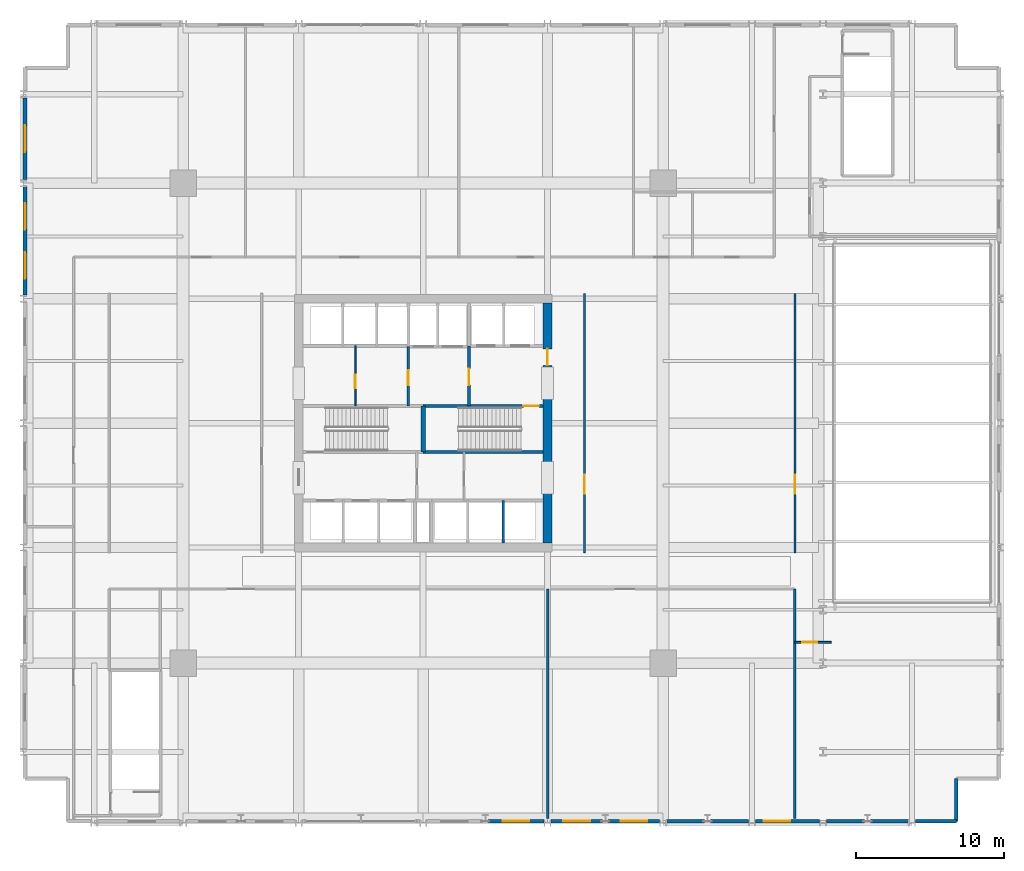
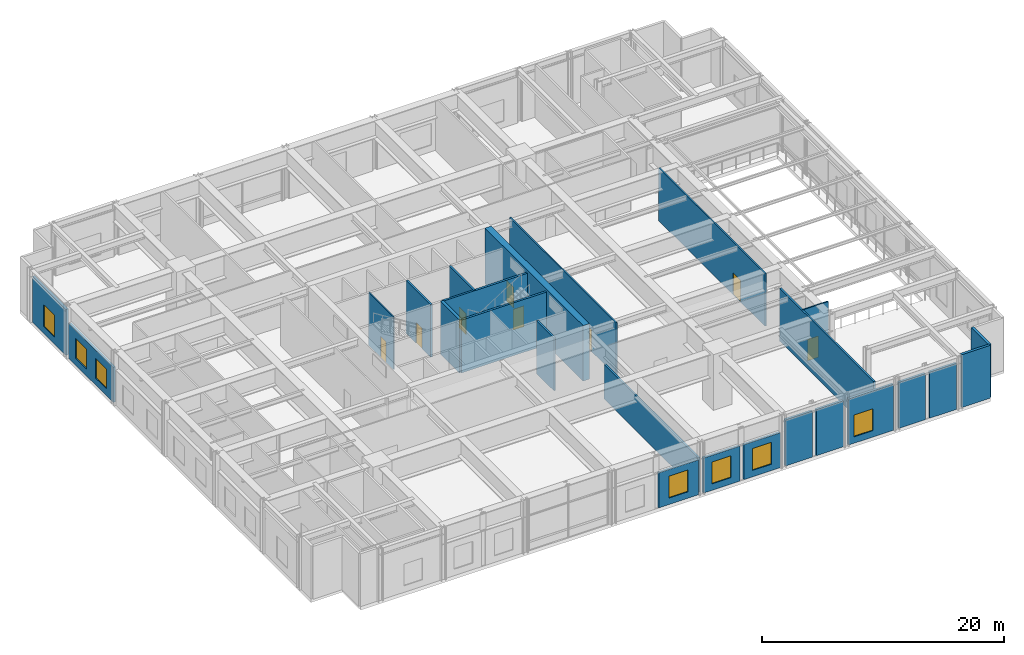
# One storey, part 12 of 19: 25 walls, 8 doors, 7 windows, 15 openings.
"""IFC4 building model written with IfcOpenShell, lengths in metres."""

import ifcopenshell
import ifcopenshell.guid

model = None  # the IFC model being written
_history = None  # IfcOwnerHistory: only IFC2X3 demands one
_inside = {}  # id of a spatial element -> (the spatial element, [elements in it])
_under = {}  # id of a project, library or spatial element -> (it, [spatial elements below it])
_declared = {}  # id of a project -> (the project, [libraries it declares])
_typed = {}  # id of a type object -> (the type object, [elements of that type])
_made_of = {}  # id of a material, layer set ... -> (it, [elements and type objects made of it])


def new_model(schema):
    """Start an empty IFC model of exactly this schema.

    Asked for "IFC4X3", IfcOpenShell would pick the latest addendum, in which some entities
    have other attributes; the version numbers below select the first issue.
    IFC2X3 requires an IfcOwnerHistory on every rooted entity: one is made here for all.
    """
    global model, _history
    if schema == "IFC4X3":
        model = ifcopenshell.file(schema_version=(4, 3, 0, 0))
    else:
        model = ifcopenshell.file(schema=schema)
    _inside.clear()
    _under.clear()
    _declared.clear()
    _typed.clear()
    _made_of.clear()
    _history = None
    if model.schema == "IFC2X3":
        org = make("IfcOrganization", Name="unknown")
        user = make(
            "IfcPersonAndOrganization",
            ThePerson=make("IfcPerson", FamilyName="unknown"),
            TheOrganization=org,
        )
        app = make(
            "IfcApplication",
            ApplicationDeveloper=org,
            Version="unknown",
            ApplicationFullName="unknown",
            ApplicationIdentifier="unknown",
        )
        _history = make(
            "IfcOwnerHistory",
            OwningUser=user,
            OwningApplication=app,
            ChangeAction="ADDED",
            CreationDate=0,
        )
    return model


def make(cls, **values):
    """One entity of the class cls with the attributes given. An attribute that is None is left unset."""
    return model.create_entity(
        cls, **{name: value for name, value in values.items() if value is not None}
    )


def rooted(cls, **values):
    """An entity with a GlobalId (a new one), such as an element, a storey or a relation."""
    return make(cls, GlobalId=ifcopenshell.guid.new(), OwnerHistory=_history, **values)


def si_unit(unit_type, name, prefix=None):
    """IfcSIUnit, for example si_unit("LENGTHUNIT", "METRE", prefix="MILLI")."""
    return make("IfcSIUnit", UnitType=unit_type, Prefix=prefix, Name=name)


def assignment(units):
    """IfcUnitAssignment: the units of a project."""
    return None if units is None else make("IfcUnitAssignment", Units=units)


def point(xyz):
    """IfcCartesianPoint."""
    return None if xyz is None else make("IfcCartesianPoint", Coordinates=xyz)


def direction(xyz):
    """IfcDirection."""
    return None if xyz is None else make("IfcDirection", DirectionRatios=xyz)


def frame(location, z_axis=None, x_axis=None):
    """IfcAxis2Placement3D, a coordinate frame: its origin and axes. An axis left out is left unset."""
    return make(
        "IfcAxis2Placement3D",
        Location=point(location),
        Axis=direction(z_axis),
        RefDirection=direction(x_axis),
    )


def frame_2d(location, x_axis=None):
    """IfcAxis2Placement2D, a coordinate frame in the plane: its origin and x axis."""
    return make(
        "IfcAxis2Placement2D", Location=point(location), RefDirection=direction(x_axis)
    )


def origin():
    """The frame at (0, 0, 0) with its axes left unset."""
    return frame((0.0, 0.0, 0.0))


def place(relative_to, where):
    """IfcLocalPlacement: puts the frame where relative to a parent placement (None: the world)."""
    return make(
        "IfcLocalPlacement", PlacementRelTo=relative_to, RelativePlacement=where
    )


def context(
    kind, dimensions, precision=None, world=None, true_north=None, identifier=None
):
    """IfcGeometricRepresentationContext, for example the 3D "Model" context."""
    return make(
        "IfcGeometricRepresentationContext",
        ContextIdentifier=identifier,
        ContextType=kind,
        CoordinateSpaceDimension=dimensions,
        Precision=precision,
        WorldCoordinateSystem=world,
        TrueNorth=true_north,
    )


def subcontext(parent, identifier, kind, view, scale=None):
    """IfcGeometricRepresentationSubContext, for example "Body" below "Model"."""
    return make(
        "IfcGeometricRepresentationSubContext",
        ContextIdentifier=identifier,
        ContextType=kind,
        ParentContext=parent,
        TargetScale=scale,
        TargetView=view,
    )


def project(units=None, contexts=None):
    """IfcProject with its units and contexts."""
    return rooted(
        "IfcProject",
        Name="project",
        RepresentationContexts=contexts,
        UnitsInContext=assignment(units),
    )


def spatial(cls, under=None, at=None, **own):
    """A site, building, storey or space (cls), placed at a placement, below another one or the project."""
    s = rooted(cls, ObjectPlacement=at, **own)
    if under is not None:
        _under.setdefault(under.id(), (under, []))[1].append(s)
    return s


def profile(cls, at=None, kind="AREA", **sizes):
    """A parametric profile (cls). Its sizes go by their IFC names, for example OverallWidth=200.0."""
    return make(cls, ProfileType=kind, Position=at, **sizes)


def rectangle(**sizes):
    """IfcRectangleProfileDef."""
    return profile("IfcRectangleProfileDef", **sizes)


def extrude(swept, where, along, depth):
    """IfcExtrudedAreaSolid: the profile swept, set in the frame where, extruded along a direction by depth."""
    return make(
        "IfcExtrudedAreaSolid",
        SweptArea=swept,
        Position=where,
        ExtrudedDirection=direction(along),
        Depth=depth,
    )


def shape(context_of_items, identifier, shape_type, items):
    """IfcShapeRepresentation: the items that make up one representation, for example the "Body"."""
    return make(
        "IfcShapeRepresentation",
        ContextOfItems=context_of_items,
        RepresentationIdentifier=identifier,
        RepresentationType=shape_type,
        Items=items,
    )


def material(Name=None, Category=None):
    """IfcMaterial."""
    return make("IfcMaterial", Name=Name, Category=Category)


def layer(
    of_material, thickness, ventilated=None, Name=None, Category=None, Priority=None
):
    """IfcMaterialLayer: one layer of a wall or slab, of a material (None: an air gap)."""
    return make(
        "IfcMaterialLayer",
        Material=of_material,
        LayerThickness=thickness,
        IsVentilated=ventilated,
        Name=Name,
        Category=Category,
        Priority=Priority,
    )


def layer_set(layers, Name=None):
    """IfcMaterialLayerSet."""
    return make("IfcMaterialLayerSet", MaterialLayers=layers, LayerSetName=Name)


def made_of(thing, what):
    """Note that an element or type object is made of a material, layer set ...; save() writes the relation."""
    if what is not None:
        _made_of.setdefault(what.id(), (what, []))[1].append(thing)
    return thing


def type_object(cls, material=None, **own):
    """A type object (cls), such as IfcWallType, which elements share."""
    return made_of(rooted(cls, **own), material)


def element(
    cls,
    number,
    at=None,
    inside=None,
    cuts=None,
    type_object=None,
    material=None,
    context=None,
    identifier="Body",
    shape_type=None,
    held_by="IfcProductDefinitionShape",
    body=None,
    shapes=None,
    **own,
):
    """One element of the class cls, such as IfcWall. Its Tag is "e" and its number.

    at: its placement. inside: the storey or other place that contains it. cuts: it is an
    opening in that element (IfcRelVoidsElement). A single representation is given by context,
    identifier, shape_type and body (its items); several are given by shapes. held_by: the class
    of the entity that holds the representations. save() writes the other relations.
    """
    e = rooted(cls, Tag="e%d" % number, ObjectPlacement=at, **own)
    if body is not None:
        shapes = [shape(context, identifier, shape_type, body)]
    if shapes is not None:
        e.Representation = make(held_by, Representations=shapes)
    if inside is not None:
        _inside.setdefault(inside.id(), (inside, []))[1].append(e)
    if cuts is not None:
        rooted(
            "IfcRelVoidsElement", RelatingBuildingElement=cuts, RelatedOpeningElement=e
        )
    if type_object is not None:
        _typed.setdefault(type_object.id(), (type_object, []))[1].append(e)
    return made_of(e, material)


def fill(opening, filler):
    """IfcRelFillsElement: the door or window that sits in an opening."""
    return rooted(
        "IfcRelFillsElement",
        RelatingOpeningElement=opening,
        RelatedBuildingElement=filler,
    )


def aggregate(whole, parts):
    """IfcRelAggregates: a whole, such as a stair, and the parts it consists of."""
    return rooted("IfcRelAggregates", RelatingObject=whole, RelatedObjects=parts)


def save(model, path):
    """Write the relations noted so far, then the file.

    IfcRelAggregates (storeys below a building ...), IfcRelContainedInSpatialStructure (elements
    in a storey), IfcRelDefinesByType, IfcRelAssociatesMaterial and IfcRelDeclares: one each for
    every whole, place, type object, material and project.
    """
    for whole, parts in _under.values():
        aggregate(whole, parts)
    for where, things in _inside.values():
        rooted(
            "IfcRelContainedInSpatialStructure",
            RelatedElements=things,
            RelatingStructure=where,
        )
    for kind, things in _typed.values():
        rooted("IfcRelDefinesByType", RelatedObjects=things, RelatingType=kind)
    for what, things in _made_of.values():
        rooted("IfcRelAssociatesMaterial", RelatedObjects=things, RelatingMaterial=what)
    for by, libraries in _declared.values():
        rooted("IfcRelDeclares", RelatingContext=by, RelatedDefinitions=libraries)
    model.write(path)


model = new_model("IFC4")

# Units and contexts
model_context = context("Model", 3, precision=1e-05, world=origin(), true_north=direction((0.0, 1.0)))
body_context = subcontext(model_context, "Body", "Model", "MODEL_VIEW")
ifc_project = project(units=[si_unit("LENGTHUNIT", "METRE"), si_unit("AREAUNIT", "SQUARE_METRE"), si_unit("VOLUMEUNIT", "CUBIC_METRE"), si_unit("PLANEANGLEUNIT", "RADIAN"), si_unit("MASSUNIT", "GRAM", prefix="KILO")], contexts=[model_context])

# Site, building, storey
site_placement = place(None, origin())
site = spatial("IfcSite", under=ifc_project, at=site_placement, CompositionType="ELEMENT")
building_placement = place(site_placement, origin())
building = spatial("IfcBuilding", under=site, at=building_placement, Name="Drelvath Grand Hotel", CompositionType="ELEMENT")
storey_placement = place(building_placement, frame((0.0, 0.0, 27.60009765625)))
storey = spatial("IfcBuildingStorey", under=building, at=storey_placement, Name="L05", CompositionType="ELEMENT", Elevation=27.60009765625)

# Wall, opening, door
ifc_material_1 = material(Name="Gypsum Partition Board")
ifc_layer_1 = layer(ifc_material_1, 0.10009765625)
ifc_layer_set_1 = layer_set([ifc_layer_1], Name="Gypsum Partition Board")
wall_type_1 = type_object("IfcWallType", Name="Core Closet Partition 100", PredefinedType="PARTITIONING", material=ifc_layer_set_1)
wall_1_placement = place(storey_placement, frame((-4.580078125, 28.159912109375, 0.0), z_axis=(0.0, 0.0, 1.0), x_axis=(0.0, 1.0, 0.0)))
wall_1 = element("IfcWall", 1, at=wall_1_placement, inside=storey, type_object=wall_type_1, Name="L05 Core Closet Divider", PredefinedType="PARTITIONING", context=body_context, shape_type="SweptSolid", body=[
    extrude(rectangle(XDim=4.06005859375, YDim=0.10009765625, at=frame_2d((2.030029296875, 0.0))), origin(), (0.0, 0.0, 1.0), 5.31982421875),
])
opening_1_placement = place(wall_1_placement, frame((1.199951171875, 0.0, 0.0)))
opening_1 = element("IfcOpeningElement", 2, at=opening_1_placement, cuts=wall_1, Name="Opening D-L05-010", PredefinedType="OPENING", context=body_context, shape_type="SweptSolid", body=[
    extrude(rectangle(XDim=0.919921875, YDim=2.10009765625, at=frame_2d((0.4599609375, 1.050048828125))), frame((0.0, 0.06005859375, 0.0), z_axis=(0.0, -1.0, 0.0), x_axis=(1.0, 0.0, 0.0)), (0.0, 0.0, 1.0), 0.1201171875),
])
ifc_material_2 = material(Name="Painted Steel S275", Category="steel")
door_type_1 = type_object("IfcDoorType", Name="Staff Utility Door 920x2100", OperationType="NOTDEFINED", PredefinedType="DOOR", material=ifc_material_2)
door_1_placement = place(opening_1_placement, origin())
door_1 = element("IfcDoor", 3, at=door_1_placement, inside=storey, type_object=door_type_1, Name="L05 Electrical Closet Door", OperationType="SINGLE_SWING_RIGHT", OverallHeight=2.10009765625, OverallWidth=0.919921875, PredefinedType="DOOR", context=body_context, shape_type="SweptSolid", body=[
    extrude(rectangle(XDim=0.919921875, YDim=2.10009765625, at=frame_2d((0.4599609375, 1.050048828125))), frame((0.0, 0.02490234375, 0.0), z_axis=(0.0, -1.0, 0.0), x_axis=(1.0, 0.0, 0.0)), (0.0, 0.0, 1.0), 0.050048828125),
])
fill(opening_1, door_1)

# Wall
ifc_material_3 = material(Name="Concrete C40/50", Category="concrete")
ifc_layer_2 = layer(ifc_material_3, 0.199951171875)
ifc_layer_set_2 = layer_set([ifc_layer_2], Name="Concrete C40/50")
wall_type_2 = type_object("IfcWallType", Name="Core Shaft Fire Wall 200", PredefinedType="SOLIDWALL", material=ifc_layer_set_2)
wall_2_placement = place(storey_placement, frame((0.0, 25.0400390625, 0.0), z_axis=(0.0, 0.0, 1.0), x_axis=(1.0, 0.0, 0.0)))
element("IfcWall", 4, at=wall_2_placement, inside=storey, type_object=wall_type_2, Name="L05 Stair ST-2 South Wall", PredefinedType="SOLIDWALL", context=body_context, shape_type="SweptSolid", body=[
    extrude(rectangle(XDim=8.10009765625, YDim=0.199951171875, at=frame_2d((4.050048828125, 0.0))), origin(), (0.0, 0.0, 1.0), 5.31982421875),
])

# Wall, opening, door
wall_3_placement = place(storey_placement, frame((8.10009765625, 28.159912109375, 0.0), z_axis=(0.0, 0.0, 1.0), x_axis=(-1.0, 0.0, 0.0)))
wall_3 = element("IfcWall", 5, at=wall_3_placement, inside=storey, type_object=wall_type_2, Name="L05 Stair ST-2 North Wall", PredefinedType="SOLIDWALL", context=body_context, shape_type="SweptSolid", body=[
    extrude(rectangle(XDim=8.10009765625, YDim=0.199951171875, at=frame_2d((4.050048828125, 0.0))), origin(), (0.0, 0.0, 1.0), 5.31982421875),
])
opening_2_placement = place(wall_3_placement, frame((0.280029296875, 0.0, 0.0)))
opening_2 = element("IfcOpeningElement", 6, at=opening_2_placement, cuts=wall_3, Name="Opening D-L05-002", PredefinedType="OPENING", context=body_context, shape_type="SweptSolid", body=[
    extrude(rectangle(XDim=1.050048828125, YDim=2.10009765625, at=frame_2d((0.52490234375, 1.050048828125))), frame((0.0, 0.10986328125, 0.0), z_axis=(0.0, -1.0, 0.0), x_axis=(1.0, 0.0, 0.0)), (0.0, 0.0, 1.0), 0.219970703125),
])
door_type_2 = type_object("IfcDoorType", Name="Tower Stairwell Fire Door 1050x2100", OperationType="NOTDEFINED", PredefinedType="DOOR", material=ifc_material_2)
door_2_placement = place(opening_2_placement, origin())
door_2 = element("IfcDoor", 7, at=door_2_placement, inside=storey, type_object=door_type_2, Name="L05 Exit Stair ST-2 Door", OperationType="SINGLE_SWING_LEFT", OverallHeight=2.10009765625, OverallWidth=1.050048828125, PredefinedType="DOOR", context=body_context, shape_type="SweptSolid", body=[
    extrude(rectangle(XDim=1.050048828125, YDim=2.10009765625, at=frame_2d((0.52490234375, 1.050048828125))), frame((0.0, 0.02490234375, 0.0), z_axis=(0.0, -1.0, 0.0), x_axis=(1.0, 0.0, 0.0)), (0.0, 0.0, 1.0), 0.050048828125),
])
fill(opening_2, door_2)

# Walls
ifc_layer_3 = layer(ifc_material_3, 0.300048828125)
ifc_layer_set_3 = layer_set([ifc_layer_3], Name="Concrete C40/50")
wall_type_3 = type_object("IfcWallType", Name="Core Shaft Fire Wall 300", PredefinedType="SOLIDWALL", material=ifc_layer_set_3)
wall_4_placement = place(storey_placement, frame((0.0, 25.0400390625, 0.0), z_axis=(0.0, 0.0, 1.0), x_axis=(0.0, 1.0, 0.0)))
element("IfcWall", 8, at=wall_4_placement, inside=storey, type_object=wall_type_3, Name="L05 Core Stair Divider Wall", PredefinedType="SOLIDWALL", context=body_context, shape_type="SweptSolid", body=[
    extrude(rectangle(XDim=3.119873046875, YDim=0.300048828125, at=frame_2d((1.56005859375, 0.0))), origin(), (0.0, 0.0, 1.0), 5.31982421875),
])
ifc_material_4 = material(Name="Gypsum Fireboard Partition")
ifc_layer_4 = layer(ifc_material_4, 0.1650390625)
ifc_layer_set_4 = layer_set([ifc_layer_4], Name="Gypsum Fireboard Partition")
wall_type_4 = type_object("IfcWallType", Name="Core Shaft Partition 165", PredefinedType="PARTITIONING", material=ifc_layer_set_4)
wall_5_placement = place(storey_placement, frame((5.39990234375, 18.89990234375, 0.0), z_axis=(0.0, 0.0, 1.0), x_axis=(0.0, 1.0, 0.0)))
element("IfcWall", 9, at=wall_5_placement, inside=storey, type_object=wall_type_4, Name="L05 Lift PE-5/6 Divider", PredefinedType="PARTITIONING", context=body_context, shape_type="SweptSolid", body=[
    extrude(rectangle(XDim=2.880126953125, YDim=0.1650390625, at=frame_2d((1.43994140625, 0.0))), origin(), (0.0, 0.0, 1.0), 5.31982421875),
])

# Wall, opening, door
ifc_layer_5 = layer(ifc_material_4, 0.135009765625)
ifc_layer_set_5 = layer_set([ifc_layer_5], Name="Gypsum Fireboard Partition")
wall_type_5 = type_object("IfcWallType", Name="Corridor Fire Barrier Wall 135", PredefinedType="PARTITIONING", material=ifc_layer_set_5)
wall_6_placement = place(storey_placement, frame((10.89990234375, 18.239990234375, 0.0), z_axis=(0.0, 0.0, 1.0), x_axis=(0.0, 1.0, 0.0)))
wall_6 = element("IfcWall", 10, at=wall_6_placement, inside=storey, type_object=wall_type_5, Name="L05 East Inner Gallery Wall", PredefinedType="PARTITIONING", context=body_context, shape_type="SweptSolid", body=[
    extrude(rectangle(XDim=17.52001953125, YDim=0.135009765625, at=frame_2d((8.760009765625, 0.0))), origin(), (0.0, 0.0, 1.0), 5.31982421875),
])
opening_3_placement = place(wall_6_placement, frame((4.0, 0.0, 0.0)))
opening_3 = element("IfcOpeningElement", 11, at=opening_3_placement, cuts=wall_6, Name="Opening D-L05-032", PredefinedType="OPENING", context=body_context, shape_type="SweptSolid", body=[
    extrude(rectangle(XDim=1.260009765625, YDim=2.199951171875, at=frame_2d((0.6298828125, 1.10009765625))), frame((0.0, 0.077392578125, 0.0), z_axis=(0.0, -1.0, 0.0), x_axis=(1.0, 0.0, 0.0)), (0.0, 0.0, 1.0), 0.155029296875),
])
ifc_material_5 = material(Name="Hardwood Walnut Timber", Category="wood")
door_type_3 = type_object("IfcDoorType", Name="Suite Entrance Fire Door 1260x2200", OperationType="NOTDEFINED", PredefinedType="DOOR", material=ifc_material_5)
door_3_placement = place(opening_3_placement, origin())
door_3 = element("IfcDoor", 12, at=door_3_placement, inside=storey, type_object=door_type_3, Name="L05 Center-East Room West Door", OperationType="SINGLE_SWING_RIGHT", OverallHeight=2.199951171875, OverallWidth=1.260009765625, PredefinedType="DOOR", context=body_context, shape_type="SweptSolid", body=[
    extrude(rectangle(XDim=1.260009765625, YDim=2.199951171875, at=frame_2d((0.6298828125, 1.10009765625))), frame((0.0, 0.02490234375, 0.0), z_axis=(0.0, -1.0, 0.0), x_axis=(1.0, 0.0, 0.0)), (0.0, 0.0, 1.0), 0.050048828125),
])
fill(opening_3, door_3)

wall_7_placement = place(storey_placement, frame((25.10009765625, 18.239990234375, 0.0), z_axis=(0.0, 0.0, 1.0), x_axis=(0.0, 1.0, 0.0)))
wall_7 = element("IfcWall", 13, at=wall_7_placement, inside=storey, type_object=wall_type_5, Name="L05 Atrium Promenade Inner Wall", PredefinedType="PARTITIONING", context=body_context, shape_type="SweptSolid", body=[
    extrude(rectangle(XDim=17.52001953125, YDim=0.135009765625, at=frame_2d((8.760009765625, 0.0))), origin(), (0.0, 0.0, 1.0), 5.31982421875),
])
opening_4_placement = place(wall_7_placement, frame((4.0, 0.0, 0.0)))
opening_4 = element("IfcOpeningElement", 14, at=opening_4_placement, cuts=wall_7, Name="Opening D-L05-033", PredefinedType="OPENING", context=body_context, shape_type="SweptSolid", body=[
    extrude(rectangle(XDim=1.260009765625, YDim=2.199951171875, at=frame_2d((0.6298828125, 1.10009765625))), frame((0.0, 0.077392578125, 0.0), z_axis=(0.0, -1.0, 0.0), x_axis=(1.0, 0.0, 0.0)), (0.0, 0.0, 1.0), 0.155029296875),
])
door_4_placement = place(opening_4_placement, origin())
door_4 = element("IfcDoor", 15, at=door_4_placement, inside=storey, type_object=door_type_3, Name="L05 Center-East Room Atrium Door", OperationType="SINGLE_SWING_LEFT", OverallHeight=2.199951171875, OverallWidth=1.260009765625, PredefinedType="DOOR", context=body_context, shape_type="SweptSolid", body=[
    extrude(rectangle(XDim=1.260009765625, YDim=2.199951171875, at=frame_2d((0.6298828125, 1.10009765625))), frame((0.0, 0.02490234375, 0.0), z_axis=(0.0, -1.0, 0.0), x_axis=(1.0, 0.0, 0.0)), (0.0, 0.0, 1.0), 0.050048828125),
])
fill(opening_4, door_4)

wall_8_placement = place(storey_placement, frame((25.10009765625, 12.199951171875, 0.0), z_axis=(0.0, 0.0, 1.0), x_axis=(1.0, 0.0, 0.0)))
wall_8 = element("IfcWall", 16, at=wall_8_placement, inside=storey, type_object=wall_type_5, Name="L05 SE Atrium Corner Return", PredefinedType="PARTITIONING", context=body_context, shape_type="SweptSolid", body=[
    extrude(rectangle(XDim=2.449951171875, YDim=0.135009765625, at=frame_2d((1.22509765625, 0.0))), origin(), (0.0, 0.0, 1.0), 5.31982421875),
])
opening_5_placement = place(wall_8_placement, frame((0.5, 0.0, 0.0)))
opening_5 = element("IfcOpeningElement", 17, at=opening_5_placement, cuts=wall_8, Name="Opening D-L05-022", PredefinedType="OPENING", context=body_context, shape_type="SweptSolid", body=[
    extrude(rectangle(XDim=1.02001953125, YDim=2.14990234375, at=frame_2d((0.510009765625, 1.074951171875))), frame((0.0, 0.077392578125, 0.0), z_axis=(0.0, -1.0, 0.0), x_axis=(1.0, 0.0, 0.0)), (0.0, 0.0, 1.0), 0.155029296875),
])
door_type_4 = type_object("IfcDoorType", Name="Amenity Meeting Fire Door 1020x2150", OperationType="NOTDEFINED", PredefinedType="DOOR", material=ifc_material_5)
door_5_placement = place(opening_5_placement, origin())
door_5 = element("IfcDoor", 18, at=door_5_placement, inside=storey, type_object=door_type_4, Name="L05 SE VIP Salon Door", OperationType="SINGLE_SWING_LEFT", OverallHeight=2.14990234375, OverallWidth=1.02001953125, PredefinedType="DOOR", context=body_context, shape_type="SweptSolid", body=[
    extrude(rectangle(XDim=1.02001953125, YDim=2.14990234375, at=frame_2d((0.510009765625, 1.074951171875))), frame((0.0, 0.02490234375, 0.0), z_axis=(0.0, -1.0, 0.0), x_axis=(1.0, 0.0, 0.0)), (0.0, 0.0, 1.0), 0.050048828125),
])
fill(opening_5, door_5)

ifc_layer_6 = layer(ifc_material_4, 0.179931640625)
ifc_layer_set_6 = layer_set([ifc_layer_6], Name="Gypsum Fireboard Partition")
wall_type_6 = type_object("IfcWallType", Name="FSAE Smoke Lobby Fire Wall 180", PredefinedType="SOLIDWALL", material=ifc_layer_set_6)
wall_9_placement = place(storey_placement, frame((3.10009765625, 28.159912109375, 0.0), z_axis=(0.0, 0.0, 1.0), x_axis=(0.0, 1.0, 0.0)))
wall_9 = element("IfcWall", 19, at=wall_9_placement, inside=storey, type_object=wall_type_6, Name="L05 FSAE Smoke Lobby West Wall", PredefinedType="SOLIDWALL", context=body_context, shape_type="SweptSolid", body=[
    extrude(rectangle(XDim=4.06005859375, YDim=0.179931640625, at=frame_2d((2.030029296875, 0.0))), origin(), (0.0, 0.0, 1.0), 5.31982421875),
])
opening_6_placement = place(wall_9_placement, frame((1.39990234375, 0.0, 0.0)))
opening_6 = element("IfcOpeningElement", 20, at=opening_6_placement, cuts=wall_9, Name="Opening D-L05-005", PredefinedType="OPENING", context=body_context, shape_type="SweptSolid", body=[
    extrude(rectangle(XDim=1.1201171875, YDim=2.10009765625, at=frame_2d((0.56005859375, 1.050048828125))), frame((0.0, 0.099853515625, 0.0), z_axis=(0.0, -1.0, 0.0), x_axis=(1.0, 0.0, 0.0)), (0.0, 0.0, 1.0), 0.199951171875),
])
door_type_5 = type_object("IfcDoorType", Name="FSAE Smoke Lobby Fire Door 1120x2100", OperationType="NOTDEFINED", PredefinedType="DOOR", material=ifc_material_2)
door_6_placement = place(opening_6_placement, origin())
door_6 = element("IfcDoor", 21, at=door_6_placement, inside=storey, type_object=door_type_5, Name="L05 FSAE Lobby Service Vestibule Door", OperationType="SINGLE_SWING_RIGHT", OverallHeight=2.10009765625, OverallWidth=1.1201171875, PredefinedType="DOOR", context=body_context, shape_type="SweptSolid", body=[
    extrude(rectangle(XDim=1.1201171875, YDim=2.10009765625, at=frame_2d((0.56005859375, 1.050048828125))), frame((0.0, 0.02490234375, 0.0), z_axis=(0.0, -1.0, 0.0), x_axis=(1.0, 0.0, 0.0)), (0.0, 0.0, 1.0), 0.050048828125),
])
fill(opening_6, door_6)

wall_10_placement = place(storey_placement, frame((-1.0, 28.159912109375, 0.0), z_axis=(0.0, 0.0, 1.0), x_axis=(0.0, 1.0, 0.0)))
wall_10 = element("IfcWall", 22, at=wall_10_placement, inside=storey, type_object=wall_type_6, Name="L05 Service Vestibule West Wall", PredefinedType="SOLIDWALL", context=body_context, shape_type="SweptSolid", body=[
    extrude(rectangle(XDim=4.02001953125, YDim=0.179931640625, at=frame_2d((2.010009765625, 0.0))), origin(), (0.0, 0.0, 1.0), 5.31982421875),
])
opening_7_placement = place(wall_10_placement, frame((1.39990234375, 0.0, 0.0)))
opening_7 = element("IfcOpeningElement", 23, at=opening_7_placement, cuts=wall_10, Name="Opening D-L05-009", PredefinedType="OPENING", context=body_context, shape_type="SweptSolid", body=[
    extrude(rectangle(XDim=1.0, YDim=2.10009765625, at=frame_2d((0.5, 1.050048828125))), frame((0.0, 0.099853515625, 0.0), z_axis=(0.0, -1.0, 0.0), x_axis=(1.0, 0.0, 0.0)), (0.0, 0.0, 1.0), 0.199951171875),
])
door_type_6 = type_object("IfcDoorType", Name="Core Service Fire Door 1000x2100", OperationType="NOTDEFINED", PredefinedType="DOOR", material=ifc_material_2)
door_7_placement = place(opening_7_placement, origin())
door_7 = element("IfcDoor", 24, at=door_7_placement, inside=storey, type_object=door_type_6, Name="L05 Service Vestibule West Door", OperationType="SINGLE_SWING_LEFT", OverallHeight=2.10009765625, OverallWidth=1.0, PredefinedType="DOOR", context=body_context, shape_type="SweptSolid", body=[
    extrude(rectangle(XDim=1.0, YDim=2.10009765625, at=frame_2d((0.5, 1.050048828125))), frame((0.0, 0.02490234375, 0.0), z_axis=(0.0, -1.0, 0.0), x_axis=(1.0, 0.0, 0.0)), (0.0, 0.0, 1.0), 0.050048828125),
])
fill(opening_7, door_7)

ifc_material_6 = material(Name="Concrete f'c 70 MPa", Category="concrete")
ifc_layer_7 = layer(ifc_material_6, 0.60009765625)
ifc_layer_set_7 = layer_set([ifc_layer_7], Name="Concrete f'c 70 MPa")
wall_type_7 = type_object("IfcWallType", Name="Lower Core RC Shear Wall 600", PredefinedType="SHEAR", material=ifc_layer_set_7)
wall_11_placement = place(storey_placement, frame((8.39990234375, 35.10009765625, 0.0), z_axis=(0.0, 0.0, 1.0), x_axis=(0.0, -1.0, 0.0)))
wall_11 = element("IfcWall", 25, at=wall_11_placement, inside=storey, type_object=wall_type_7, Name="L05 Central Core Shear Wall E", PredefinedType="SHEAR", context=body_context, shape_type="SweptSolid", body=[
    extrude(rectangle(XDim=16.2001953125, YDim=0.60009765625, at=frame_2d((8.10009765625, 0.0))), origin(), (0.0, 0.0, 1.0), 5.599853515625),
])
opening_8_placement = place(wall_11_placement, frame((3.080078125, 0.0, 0.0)))
opening_8 = element("IfcOpeningElement", 26, at=opening_8_placement, cuts=wall_11, Name="Opening D-L05-006", PredefinedType="OPENING", context=body_context, shape_type="SweptSolid", body=[
    extrude(rectangle(XDim=1.1201171875, YDim=2.10009765625, at=frame_2d((0.56005859375, 1.050048828125))), frame((0.0, 0.31005859375, 0.0), z_axis=(0.0, -1.0, 0.0), x_axis=(1.0, 0.0, 0.0)), (0.0, 0.0, 1.0), 0.6201171875),
])
door_8_placement = place(opening_8_placement, origin())
door_8 = element("IfcDoor", 27, at=door_8_placement, inside=storey, type_object=door_type_5, Name="L05 FSAE Lobby East Corridor Door", OperationType="SINGLE_SWING_LEFT", OverallHeight=2.10009765625, OverallWidth=1.1201171875, PredefinedType="DOOR", context=body_context, shape_type="SweptSolid", body=[
    extrude(rectangle(XDim=1.1201171875, YDim=2.10009765625, at=frame_2d((0.56005859375, 1.050048828125))), frame((0.0, 0.02490234375, 0.0), z_axis=(0.0, -1.0, 0.0), x_axis=(1.0, 0.0, 0.0)), (0.0, 0.0, 1.0), 0.050048828125),
])
fill(opening_8, door_8)

# Wall, openings, windows
ifc_material_7 = material(Name="Insulated Granite Rainscreen Assembly", Category="masonry")
ifc_layer_8 = layer(ifc_material_7, 0.239990234375)
ifc_layer_set_8 = layer_set([ifc_layer_8], Name="Insulated Granite Rainscreen Assembly")
wall_type_8 = type_object("IfcWallType", Name="Podium Granite Rainscreen Exterior Wall 240", PredefinedType="STANDARD", material=ifc_layer_set_8)
wall_12_placement = place(storey_placement, frame((-26.8798828125, 35.640869140625, 0.0), z_axis=(0.0, 0.0, 1.0), x_axis=(0.0, 1.0, 0.0)))
wall_12 = element("IfcWall", 28, at=wall_12_placement, inside=storey, type_object=wall_type_8, Name="L05 West Podium Granite Wall 6", PredefinedType="STANDARD", context=body_context, shape_type="SweptSolid", body=[
    extrude(rectangle(XDim=7.318115234375, YDim=0.239990234375, at=frame_2d((3.6591796875, 0.0))), origin(), (0.0, 0.0, 1.0), 3.52001953125),
])
opening_9_placement = place(wall_12_placement, frame((1.10009765625, 0.0, 0.699951171875)))
opening_9 = element("IfcOpeningElement", 29, at=opening_9_placement, cuts=wall_12, Name="Opening W-02", PredefinedType="OPENING", context=body_context, shape_type="SweptSolid", body=[
    extrude(rectangle(XDim=1.800048828125, YDim=2.0, at=frame_2d((0.89990234375, 1.0))), frame((0.0, 0.1298828125, 0.0), z_axis=(0.0, -1.0, 0.0), x_axis=(1.0, 0.0, 0.0)), (0.0, 0.0, 1.0), 0.260009765625),
])
opening_10_placement = place(wall_12_placement, frame((4.418212890625, 0.0, 0.699951171875)))
opening_10 = element("IfcOpeningElement", 30, at=opening_10_placement, cuts=wall_12, Name="Opening W-02", PredefinedType="OPENING", context=body_context, shape_type="SweptSolid", body=[
    extrude(rectangle(XDim=1.800048828125, YDim=2.0, at=frame_2d((0.89990234375, 1.0))), frame((0.0, 0.1298828125, 0.0), z_axis=(0.0, -1.0, 0.0), x_axis=(1.0, 0.0, 0.0)), (0.0, 0.0, 1.0), 0.260009765625),
])
ifc_material_8 = material(Name="Bronze Anodised Low-E Triple Glazing", Category="glass")
window_type = type_object("IfcWindowType", Name="Chicago Double-Pane Podium Window 1800x2400", PartitioningType="DOUBLE_PANEL_VERTICAL", PredefinedType="WINDOW", material=ifc_material_8)
window_1_placement = place(opening_9_placement, origin())
window_1 = element("IfcWindow", 31, at=window_1_placement, inside=storey, type_object=window_type, Name="L05 West Podium Window 6-1", OverallHeight=2.0, OverallWidth=1.800048828125, PartitioningType="SINGLE_PANEL", PredefinedType="WINDOW", context=body_context, shape_type="SweptSolid", body=[
    extrude(rectangle(XDim=1.800048828125, YDim=2.0, at=frame_2d((0.89990234375, 1.0))), frame((0.0, 0.030029296875, 0.0), z_axis=(0.0, -1.0, 0.0), x_axis=(1.0, 0.0, 0.0)), (0.0, 0.0, 1.0), 0.06005859375),
])
fill(opening_9, window_1)
window_2_placement = place(opening_10_placement, origin())
window_2 = element("IfcWindow", 32, at=window_2_placement, inside=storey, type_object=window_type, Name="L05 West Podium Window 6-2", OverallHeight=2.0, OverallWidth=1.800048828125, PartitioningType="SINGLE_PANEL", PredefinedType="WINDOW", context=body_context, shape_type="SweptSolid", body=[
    extrude(rectangle(XDim=1.800048828125, YDim=2.0, at=frame_2d((0.89990234375, 1.0))), frame((0.0, 0.030029296875, 0.0), z_axis=(0.0, -1.0, 0.0), x_axis=(1.0, 0.0, 0.0)), (0.0, 0.0, 1.0), 0.06005859375),
])
fill(opening_10, window_2)

# Wall, opening, window
wall_13_placement = place(storey_placement, frame((-26.8798828125, 43.44091796875, 0.0), z_axis=(0.0, 0.0, 1.0), x_axis=(0.0, 1.0, 0.0)))
wall_13 = element("IfcWall", 33, at=wall_13_placement, inside=storey, type_object=wall_type_8, Name="L05 West Podium Granite Wall 7", PredefinedType="STANDARD", context=body_context, shape_type="SweptSolid", body=[
    extrude(rectangle(XDim=5.51806640625, YDim=0.239990234375, at=frame_2d((2.759033203125, 0.0))), origin(), (0.0, 0.0, 1.0), 4.62451171875),
])
opening_11_placement = place(wall_13_placement, frame((1.859130859375, 0.0, 0.699951171875)))
opening_11 = element("IfcOpeningElement", 34, at=opening_11_placement, cuts=wall_13, Name="Opening W-02", PredefinedType="OPENING", context=body_context, shape_type="SweptSolid", body=[
    extrude(rectangle(XDim=1.800048828125, YDim=2.199951171875, at=frame_2d((0.89990234375, 1.10009765625))), frame((0.0, 0.1298828125, 0.0), z_axis=(0.0, -1.0, 0.0), x_axis=(1.0, 0.0, 0.0)), (0.0, 0.0, 1.0), 0.260009765625),
])
window_3_placement = place(opening_11_placement, origin())
window_3 = element("IfcWindow", 35, at=window_3_placement, inside=storey, type_object=window_type, Name="L05 West Podium Window 7", OverallHeight=2.199951171875, OverallWidth=1.800048828125, PartitioningType="SINGLE_PANEL", PredefinedType="WINDOW", context=body_context, shape_type="SweptSolid", body=[
    extrude(rectangle(XDim=1.800048828125, YDim=2.199951171875, at=frame_2d((0.89990234375, 1.10009765625))), frame((0.0, 0.030029296875, 0.0), z_axis=(0.0, -1.0, 0.0), x_axis=(1.0, 0.0, 0.0)), (0.0, 0.0, 1.0), 0.06005859375),
])
fill(opening_11, window_3)

wall_14_placement = place(storey_placement, frame((8.1591796875, 0.1201171875, 0.0), z_axis=(0.0, 0.0, 1.0), x_axis=(-1.0, 0.0, 0.0)))
wall_14 = element("IfcWall", 36, at=wall_14_placement, inside=storey, type_object=wall_type_8, Name="L05 South Podium Granite Wall 8", PredefinedType="STANDARD", context=body_context, shape_type="SweptSolid", body=[
    extrude(rectangle(XDim=3.7666015625, YDim=0.239990234375, at=frame_2d((1.88330078125, 0.0))), origin(), (0.0, 0.0, 1.0), 3.52001953125),
])
opening_12_placement = place(wall_14_placement, frame((0.983154296875, 0.0, 0.64990234375)))
opening_12 = element("IfcOpeningElement", 37, at=opening_12_placement, cuts=wall_14, Name="Opening W-02", PredefinedType="OPENING", context=body_context, shape_type="SweptSolid", body=[
    extrude(rectangle(XDim=1.800048828125, YDim=2.199951171875, at=frame_2d((0.89990234375, 1.10009765625))), frame((0.0, 0.1298828125, 0.0), z_axis=(0.0, -1.0, 0.0), x_axis=(1.0, 0.0, 0.0)), (0.0, 0.0, 1.0), 0.260009765625),
])
window_4_placement = place(opening_12_placement, origin())
window_4 = element("IfcWindow", 38, at=window_4_placement, inside=storey, type_object=window_type, Name="L05 South Chicago Window 8", OverallHeight=2.199951171875, OverallWidth=1.800048828125, PartitioningType="SINGLE_PANEL", PredefinedType="WINDOW", context=body_context, shape_type="SweptSolid", body=[
    extrude(rectangle(XDim=1.800048828125, YDim=2.199951171875, at=frame_2d((0.89990234375, 1.10009765625))), frame((0.0, 0.030029296875, 0.0), z_axis=(0.0, -1.0, 0.0), x_axis=(1.0, 0.0, 0.0)), (0.0, 0.0, 1.0), 0.06005859375),
])
fill(opening_12, window_4)

wall_15_placement = place(storey_placement, frame((12.107421875, 0.1201171875, 0.0), z_axis=(0.0, 0.0, 1.0), x_axis=(-1.0, 0.0, 0.0)))
wall_15 = element("IfcWall", 39, at=wall_15_placement, inside=storey, type_object=wall_type_8, Name="L05 South Podium Granite Wall 9", PredefinedType="STANDARD", context=body_context, shape_type="SweptSolid", body=[
    extrude(rectangle(XDim=3.466552734375, YDim=0.239990234375, at=frame_2d((1.7333984375, 0.0))), origin(), (0.0, 0.0, 1.0), 3.52001953125),
])
opening_13_placement = place(wall_15_placement, frame((0.833251953125, 0.0, 0.64990234375)))
opening_13 = element("IfcOpeningElement", 40, at=opening_13_placement, cuts=wall_15, Name="Opening W-02", PredefinedType="OPENING", context=body_context, shape_type="SweptSolid", body=[
    extrude(rectangle(XDim=1.800048828125, YDim=2.199951171875, at=frame_2d((0.89990234375, 1.10009765625))), frame((0.0, 0.1298828125, 0.0), z_axis=(0.0, -1.0, 0.0), x_axis=(1.0, 0.0, 0.0)), (0.0, 0.0, 1.0), 0.260009765625),
])
window_5_placement = place(opening_13_placement, origin())
window_5 = element("IfcWindow", 41, at=window_5_placement, inside=storey, type_object=window_type, Name="L05 South Chicago Window 9", OverallHeight=2.199951171875, OverallWidth=1.800048828125, PartitioningType="SINGLE_PANEL", PredefinedType="WINDOW", context=body_context, shape_type="SweptSolid", body=[
    extrude(rectangle(XDim=1.800048828125, YDim=2.199951171875, at=frame_2d((0.89990234375, 1.10009765625))), frame((0.0, 0.030029296875, 0.0), z_axis=(0.0, -1.0, 0.0), x_axis=(1.0, 0.0, 0.0)), (0.0, 0.0, 1.0), 0.06005859375),
])
fill(opening_13, window_5)

wall_16_placement = place(storey_placement, frame((15.958984375, 0.1201171875, 0.0), z_axis=(0.0, 0.0, 1.0), x_axis=(-1.0, 0.0, 0.0)))
wall_16 = element("IfcWall", 42, at=wall_16_placement, inside=storey, type_object=wall_type_8, Name="L05 South Podium Granite Wall 10", PredefinedType="STANDARD", context=body_context, shape_type="SweptSolid", body=[
    extrude(rectangle(XDim=3.46630859375, YDim=0.239990234375, at=frame_2d((1.733154296875, 0.0))), origin(), (0.0, 0.0, 1.0), 3.52001953125),
])
opening_14_placement = place(wall_16_placement, frame((0.833251953125, 0.0, 0.64990234375)))
opening_14 = element("IfcOpeningElement", 43, at=opening_14_placement, cuts=wall_16, Name="Opening W-02", PredefinedType="OPENING", context=body_context, shape_type="SweptSolid", body=[
    extrude(rectangle(XDim=1.800048828125, YDim=2.199951171875, at=frame_2d((0.89990234375, 1.10009765625))), frame((0.0, 0.1298828125, 0.0), z_axis=(0.0, -1.0, 0.0), x_axis=(1.0, 0.0, 0.0)), (0.0, 0.0, 1.0), 0.260009765625),
])
window_6_placement = place(opening_14_placement, origin())
window_6 = element("IfcWindow", 44, at=window_6_placement, inside=storey, type_object=window_type, Name="L05 South Chicago Window 10", OverallHeight=2.199951171875, OverallWidth=1.800048828125, PartitioningType="SINGLE_PANEL", PredefinedType="WINDOW", context=body_context, shape_type="SweptSolid", body=[
    extrude(rectangle(XDim=1.800048828125, YDim=2.199951171875, at=frame_2d((0.89990234375, 1.10009765625))), frame((0.0, 0.030029296875, 0.0), z_axis=(0.0, -1.0, 0.0), x_axis=(1.0, 0.0, 0.0)), (0.0, 0.0, 1.0), 0.06005859375),
])
fill(opening_14, window_6)

# Walls
for number, where, z_axis, x_axis, name in (
    (45, (19.00732421875, 0.1201171875, 0.0), (0.0, 0.0, 1.0), (-1.0, 0.0, 0.0), "L05 South Podium Granite Wall 11"),
    (46, (21.958984375, 0.1201171875, 0.0), (0.0, 0.0, 1.0), (-1.0, 0.0, 0.0), "L05 South Podium Granite Wall 12"),
):
    element("IfcWall", number, at=place(storey_placement, frame(where, z_axis=z_axis, x_axis=x_axis)), inside=storey, type_object=wall_type_8, Name=name, PredefinedType="STANDARD", context=body_context, shape_type="SweptSolid", body=[
        extrude(rectangle(XDim=2.56640625, YDim=0.239990234375, at=frame_2d((1.283203125, 0.0))), origin(), (0.0, 0.0, 1.0), 4.62451171875),
    ])

# Wall, opening, window
wall_17_placement = place(storey_placement, frame((26.759033203125, 0.1201171875, 0.0), z_axis=(0.0, 0.0, 1.0), x_axis=(-1.0, 0.0, 0.0)))
wall_17 = element("IfcWall", 47, at=wall_17_placement, inside=storey, type_object=wall_type_8, Name="L05 South Podium Granite Wall 13", PredefinedType="STANDARD", context=body_context, shape_type="SweptSolid", body=[
    extrude(rectangle(XDim=4.318115234375, YDim=0.239990234375, at=frame_2d((2.1591796875, 0.0))), origin(), (0.0, 0.0, 1.0), 4.62451171875),
])
opening_15_placement = place(wall_17_placement, frame((1.958984375, 0.0, 0.64990234375)))
opening_15 = element("IfcOpeningElement", 48, at=opening_15_placement, cuts=wall_17, Name="Opening W-02", PredefinedType="OPENING", context=body_context, shape_type="SweptSolid", body=[
    extrude(rectangle(XDim=1.800048828125, YDim=2.199951171875, at=frame_2d((0.89990234375, 1.10009765625))), frame((0.0, 0.1298828125, 0.0), z_axis=(0.0, -1.0, 0.0), x_axis=(1.0, 0.0, 0.0)), (0.0, 0.0, 1.0), 0.260009765625),
])
window_7_placement = place(opening_15_placement, origin())
window_7 = element("IfcWindow", 49, at=window_7_placement, inside=storey, type_object=window_type, Name="L05 South Chicago Window 13", OverallHeight=2.199951171875, OverallWidth=1.800048828125, PartitioningType="SINGLE_PANEL", PredefinedType="WINDOW", context=body_context, shape_type="SweptSolid", body=[
    extrude(rectangle(XDim=1.800048828125, YDim=2.199951171875, at=frame_2d((0.89990234375, 1.10009765625))), frame((0.0, 0.030029296875, 0.0), z_axis=(0.0, -1.0, 0.0), x_axis=(1.0, 0.0, 0.0)), (0.0, 0.0, 1.0), 0.06005859375),
])
fill(opening_15, window_7)

# Walls
for number, where, z_axis, x_axis, name in (
    (50, (29.807373046875, 0.1201171875, 0.0), (0.0, 0.0, 1.0), (-1.0, 0.0, 0.0), "L05 South Podium Granite Wall 14"),
    (51, (32.759033203125, 0.1201171875, 0.0), (0.0, 0.0, 1.0), (-1.0, 0.0, 0.0), "L05 South Podium Granite Wall 15"),
):
    element("IfcWall", number, at=place(storey_placement, frame(where, z_axis=z_axis, x_axis=x_axis)), inside=storey, type_object=wall_type_8, Name=name, PredefinedType="STANDARD", context=body_context, shape_type="SweptSolid", body=[
        extrude(rectangle(XDim=2.56640625, YDim=0.239990234375, at=frame_2d((1.283203125, 0.0))), origin(), (0.0, 0.0, 1.0), 4.62451171875),
    ])
wall_18_placement = place(storey_placement, frame((36.0, 0.1201171875, 0.0), z_axis=(0.0, 0.0, 1.0), x_axis=(-1.0, 0.0, 0.0)))
element("IfcWall", 52, at=wall_18_placement, inside=storey, type_object=wall_type_8, Name="L05 South Podium Granite Wall 16", PredefinedType="STANDARD", context=body_context, shape_type="SweptSolid", body=[
    extrude(rectangle(XDim=2.759033203125, YDim=0.239990234375, at=frame_2d((1.37939453125, 0.0))), origin(), (0.0, 0.0, 1.0), 5.31982421875),
])
wall_19_placement = place(storey_placement, frame((36.0, 3.0, 0.0), z_axis=(0.0, 0.0, 1.0), x_axis=(0.0, -1.0, 0.0)))
element("IfcWall", 53, at=wall_19_placement, inside=storey, type_object=wall_type_8, Name="L05 Podium Corner Return Wall CSE2", PredefinedType="STANDARD", context=body_context, shape_type="SweptSolid", body=[
    extrude(rectangle(XDim=2.8798828125, YDim=0.239990234375, at=frame_2d((1.43994140625, 0.0))), origin(), (0.0, 0.0, 1.0), 5.31982421875),
])
ifc_material_9 = material(Name="Gypsum Acoustic Partition")
ifc_layer_9 = layer(ifc_material_9, 0.1650390625)
ifc_layer_set_9 = layer_set([ifc_layer_9], Name="Gypsum Acoustic Partition")
wall_type_9 = type_object("IfcWallType", Name="Suite Demising Wall 165", PredefinedType="PARTITIONING", material=ifc_layer_set_9)
wall_20_placement = place(storey_placement, frame((25.10009765625, 0.300048828125, 0.0), z_axis=(0.0, 0.0, 1.0), x_axis=(0.0, 1.0, 0.0)))
element("IfcWall", 54, at=wall_20_placement, inside=storey, type_object=wall_type_9, Name="L05 SE Wing Wall", PredefinedType="PARTITIONING", context=body_context, shape_type="SweptSolid", body=[
    extrude(rectangle(XDim=15.5, YDim=0.1650390625, at=frame_2d((7.75, 0.0))), origin(), (0.0, 0.0, 1.0), 5.31982421875),
])
wall_21_placement = place(storey_placement, frame((8.39990234375, 0.300048828125, 0.0), z_axis=(0.0, 0.0, 1.0), x_axis=(0.0, 1.0, 0.0)))
element("IfcWall", 55, at=wall_21_placement, inside=storey, type_object=wall_type_9, Name="L05 Indoor Pool East Wall", PredefinedType="PARTITIONING", context=body_context, shape_type="SweptSolid", body=[
    extrude(rectangle(XDim=15.5, YDim=0.1650390625, at=frame_2d((7.75, 0.0))), origin(), (0.0, 0.0, 1.0), 3.5048828125),
])

save(model, "model.ifc")
